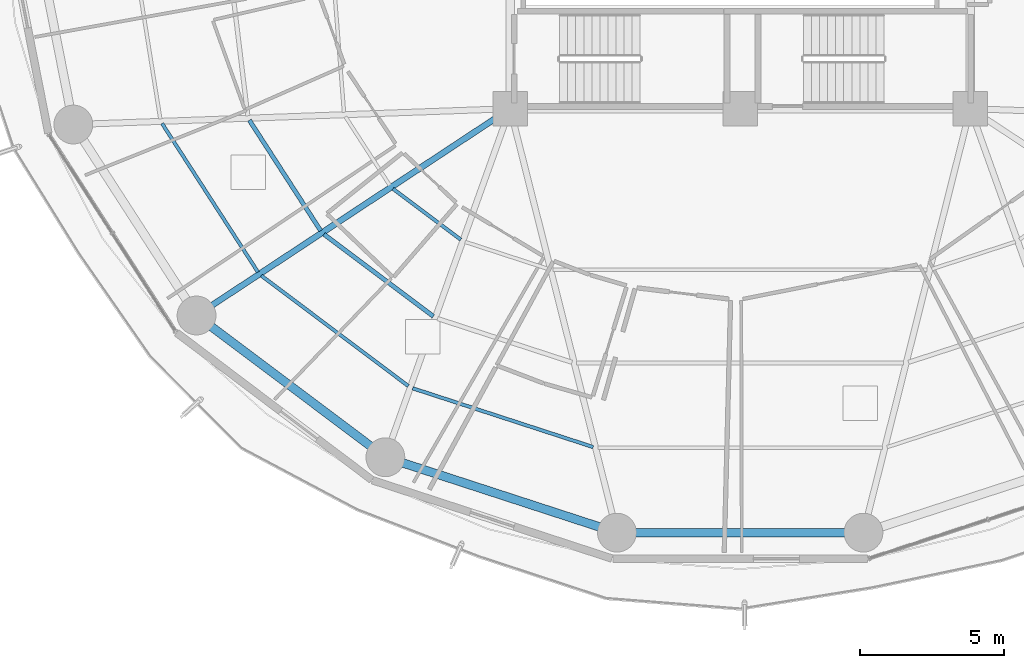
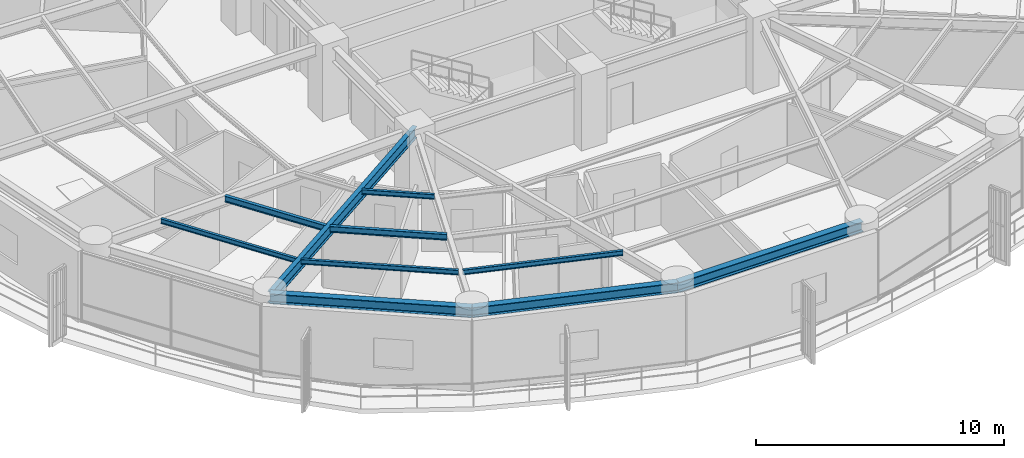
# One storey, part 3 of 35: 10 beams.
"""IFC4 building model written with IfcOpenShell, lengths in metres."""

from ifc_helpers import new_model, si_unit, direction, frame, origin, origin_2d, place, context, subcontext, project, spatial, i_section, extrude, material, material_profile, profile_set, type_object, element, save


model = new_model("IFC4")

# Units and contexts
model_context = context("Model", 3, precision=1e-05, world=origin(), true_north=direction((0.0, 1.0)))
body_context = subcontext(model_context, "Body", "Model", "MODEL_VIEW")
ifc_project = project(units=[si_unit("LENGTHUNIT", "METRE"), si_unit("AREAUNIT", "SQUARE_METRE"), si_unit("VOLUMEUNIT", "CUBIC_METRE"), si_unit("PLANEANGLEUNIT", "RADIAN"), si_unit("MASSUNIT", "GRAM", prefix="KILO")], contexts=[model_context])

# Site, building, storey
site_placement = place(None, origin())
site = spatial("IfcSite", under=ifc_project, at=site_placement, CompositionType="ELEMENT")
building_placement = place(site_placement, origin())
building = spatial("IfcBuilding", under=site, at=building_placement, Name="Kelanora Arch Commons", CompositionType="ELEMENT")
storey_placement = place(building_placement, frame((0.0, 0.0, 121.35009765625)))
storey = spatial("IfcBuildingStorey", under=building, at=storey_placement, Name="L31", CompositionType="ELEMENT", Elevation=121.35009765625)

# Beams
ifc_material = material(Name="Steel S355", Category="steel")
ifc_material_profile_1 = material_profile(ifc_material, i_section(OverallWidth=0.14990234375, OverallDepth=0.300048828125, WebThickness=0.007080078125, FlangeThickness=0.0107421875, FilletRadius=0.014892578125, at=origin_2d()), Name="IPE300")
ifc_profile_set_1 = profile_set([ifc_material_profile_1], Name="Steel S355")
beam_type_1 = type_object("IfcBeamType", Name="BM-JST-01", PredefinedType="JOIST", material=ifc_profile_set_1)
beam_1_placement = place(storey_placement, frame((56.93115234375, 50.597412109375, 3.33984375), z_axis=(0.542230243286, -0.840229946661, 0.0), x_axis=(0.840229946661, 0.542230243286, 0.0)))
element("IfcBeam", 1, at=beam_1_placement, inside=storey, type_object=beam_type_1, Name="Secondary Chord Joist BJB-20 L31", PredefinedType="JOIST", context=body_context, shape_type="SweptSolid", body=[
    extrude(i_section(OverallWidth=0.14990234375, OverallDepth=0.300048828125, WebThickness=0.007080078125, FlangeThickness=0.0107421875, FilletRadius=0.014892578125, at=origin_2d()), origin(), (0.0, 0.0, 1.0), 4.572265625),
])
beam_2_placement = place(storey_placement, frame((59.5244140625, 46.63330078125, 3.33984375), z_axis=(0.79971039107, -0.600385951214, 0.0), x_axis=(0.600385951214, 0.79971039107, 0.0)))
element("IfcBeam", 2, at=beam_2_placement, inside=storey, type_object=beam_type_1, Name="Secondary Chord Joist BJB-22 L31", PredefinedType="JOIST", context=body_context, shape_type="SweptSolid", body=[
    extrude(i_section(OverallWidth=0.14990234375, OverallDepth=0.300048828125, WebThickness=0.007080078125, FlangeThickness=0.0107421875, FilletRadius=0.014892578125, at=origin_2d()), origin(), (0.0, 0.0, 1.0), 4.756103515625),
])
ifc_material_profile_2 = material_profile(ifc_material, i_section(OverallWidth=0.1201171875, OverallDepth=0.239990234375, WebThickness=0.006103515625, FlangeThickness=0.009765625, FilletRadius=0.014892578125, at=origin_2d()), Name="IPE240")
ifc_profile_set_2 = profile_set([ifc_material_profile_2], Name="Steel S355")
beam_type_2 = type_object("IfcBeamType", Name="BM-JST-02", PredefinedType="JOIST", material=ifc_profile_set_2)
beam_3_placement = place(storey_placement, frame((53.892822265625, 50.487060546875, 3.369873046875), z_axis=(0.542212726273, -0.840241250754, 0.0), x_axis=(0.840241250754, 0.542212726273, 0.0)))
element("IfcBeam", 3, at=beam_3_placement, inside=storey, type_object=beam_type_2, Name="Secondary Chord Joist BJC-20 L31", PredefinedType="JOIST", context=body_context, shape_type="SweptSolid", body=[
    extrude(i_section(OverallWidth=0.1201171875, OverallDepth=0.239990234375, WebThickness=0.006103515625, FlangeThickness=0.009765625, FilletRadius=0.014892578125, at=origin_2d()), origin(), (0.0, 0.0, 1.0), 6.15283203125),
])
beam_4_placement = place(storey_placement, frame((61.923583984375, 48.2158203125, 3.369873046875), z_axis=(0.799692034361, -0.600410401458, 0.0), x_axis=(0.600410401458, 0.799692034361, 0.0)))
element("IfcBeam", 4, at=beam_4_placement, inside=storey, type_object=beam_type_2, Name="Secondary Chord Joist BJA-22 L31", PredefinedType="JOIST", context=body_context, shape_type="SweptSolid", body=[
    extrude(i_section(OverallWidth=0.1201171875, OverallDepth=0.239990234375, WebThickness=0.006103515625, FlangeThickness=0.009765625, FilletRadius=0.014892578125, at=origin_2d()), origin(), (0.0, 0.0, 1.0), 2.949951171875),
])
beam_5_placement = place(storey_placement, frame((57.34326171875, 45.194580078125, 3.369873046875), z_axis=(0.799734335646, -0.600354055861, 0.0), x_axis=(0.600354055861, 0.799734335646, 0.0)))
element("IfcBeam", 5, at=beam_5_placement, inside=storey, type_object=beam_type_2, Name="Secondary Chord Joist BJC-22 L31", PredefinedType="JOIST", context=body_context, shape_type="SweptSolid", body=[
    extrude(i_section(OverallWidth=0.1201171875, OverallDepth=0.239990234375, WebThickness=0.006103515625, FlangeThickness=0.009765625, FilletRadius=0.014892578125, at=origin_2d()), origin(), (0.0, 0.0, 1.0), 6.39794921875),
])
beam_6_placement = place(storey_placement, frame((62.60888671875, 41.276123046875, 3.369873046875), z_axis=(0.950862829272, -0.309612467301, 0.0), x_axis=(0.309612467301, 0.950862829272, 0.0)))
element("IfcBeam", 6, at=beam_6_placement, inside=storey, type_object=beam_type_2, Name="Secondary Chord Joist BJC-24 L31", PredefinedType="JOIST", context=body_context, shape_type="SweptSolid", body=[
    extrude(i_section(OverallWidth=0.1201171875, OverallDepth=0.239990234375, WebThickness=0.006103515625, FlangeThickness=0.009765625, FilletRadius=0.014892578125, at=origin_2d()), origin(), (0.0, 0.0, 1.0), 6.6064453125),
])
ifc_material_profile_3 = material_profile(ifc_material, i_section(OverallWidth=0.2099609375, OverallDepth=0.550048828125, WebThickness=0.010986328125, FlangeThickness=0.01708984375, FilletRadius=0.02392578125, at=origin_2d()), Name="IPE550")
ifc_profile_set_3 = profile_set([ifc_material_profile_3], Name="Steel S355")
beam_type_3 = type_object("IfcBeamType", Name="BM-RAD-Z2", PredefinedType="BEAM", material=ifc_profile_set_3)
beam_7_placement = place(storey_placement, frame((66.0, 51.0, 3.21484375), z_axis=(-0.834788577908, -0.550570640512, 0.0), x_axis=(0.550570640512, -0.834788577908, 0.0)))
element("IfcBeam", 7, at=beam_7_placement, inside=storey, type_object=beam_type_3, Name="Radial Floor Girder BR-22 L31", PredefinedType="BEAM", context=body_context, shape_type="SweptSolid", body=[
    extrude(i_section(OverallWidth=0.2099609375, OverallDepth=0.550048828125, WebThickness=0.010986328125, FlangeThickness=0.01708984375, FilletRadius=0.02392578125, at=origin_2d()), origin(), (0.0, 0.0, 1.0), 13.064453125),
])
ifc_material_profile_4 = material_profile(ifc_material, i_section(OverallWidth=0.300048828125, OverallDepth=0.5, WebThickness=0.014404296875, FlangeThickness=0.028076171875, FilletRadius=0.027099609375, at=origin_2d()), Name="HEB500")
ifc_profile_set_4 = profile_set([ifc_material_profile_4], Name="Steel S355")
beam_type_4 = type_object("IfcBeamType", Name="BM-SPN-Z2", PredefinedType="SPANDREL", material=ifc_profile_set_4)
beam_8_placement = place(storey_placement, frame((55.093994140625, 43.80712890625, 3.239990234375), z_axis=(0.799735861602, -0.600352023123, 0.0), x_axis=(0.600352023123, 0.799735861602, 0.0)))
element("IfcBeam", 8, at=beam_8_placement, inside=storey, type_object=beam_type_4, Name="Perimeter Spandrel Beam BS-22 L31", PredefinedType="SPANDREL", context=body_context, shape_type="SweptSolid", body=[
    extrude(i_section(OverallWidth=0.300048828125, OverallDepth=0.5, WebThickness=0.014404296875, FlangeThickness=0.028076171875, FilletRadius=0.027099609375, at=origin_2d()), origin(), (0.0, 0.0, 1.0), 8.210205078125),
])
beam_9_placement = place(storey_placement, frame((61.659912109375, 38.878173828125, 3.239990234375), z_axis=(0.950856631974, -0.309631499418, 0.0), x_axis=(0.309631499418, 0.950856631974, 0.0)))
element("IfcBeam", 9, at=beam_9_placement, inside=storey, type_object=beam_type_4, Name="Perimeter Spandrel Beam BS-24 L31", PredefinedType="SPANDREL", context=body_context, shape_type="SweptSolid", body=[
    extrude(i_section(OverallWidth=0.300048828125, OverallDepth=0.5, WebThickness=0.014404296875, FlangeThickness=0.028076171875, FilletRadius=0.027099609375, at=origin_2d()), origin(), (0.0, 0.0, 1.0), 8.470703125),
])
beam_10_placement = place(storey_placement, frame((69.71435546875, 36.25537109375, 3.239990234375), z_axis=(1.0, 0.0, 0.0), x_axis=(0.0, 1.0, 0.0)))
element("IfcBeam", 10, at=beam_10_placement, inside=storey, type_object=beam_type_4, Name="Perimeter Spandrel Beam BS-26 L31", PredefinedType="SPANDREL", context=body_context, shape_type="SweptSolid", body=[
    extrude(i_section(OverallWidth=0.300048828125, OverallDepth=0.5, WebThickness=0.014404296875, FlangeThickness=0.028076171875, FilletRadius=0.027099609375, at=origin_2d()), origin(), (0.0, 0.0, 1.0), 8.5712890625),
])

save(model, "model.ifc")
